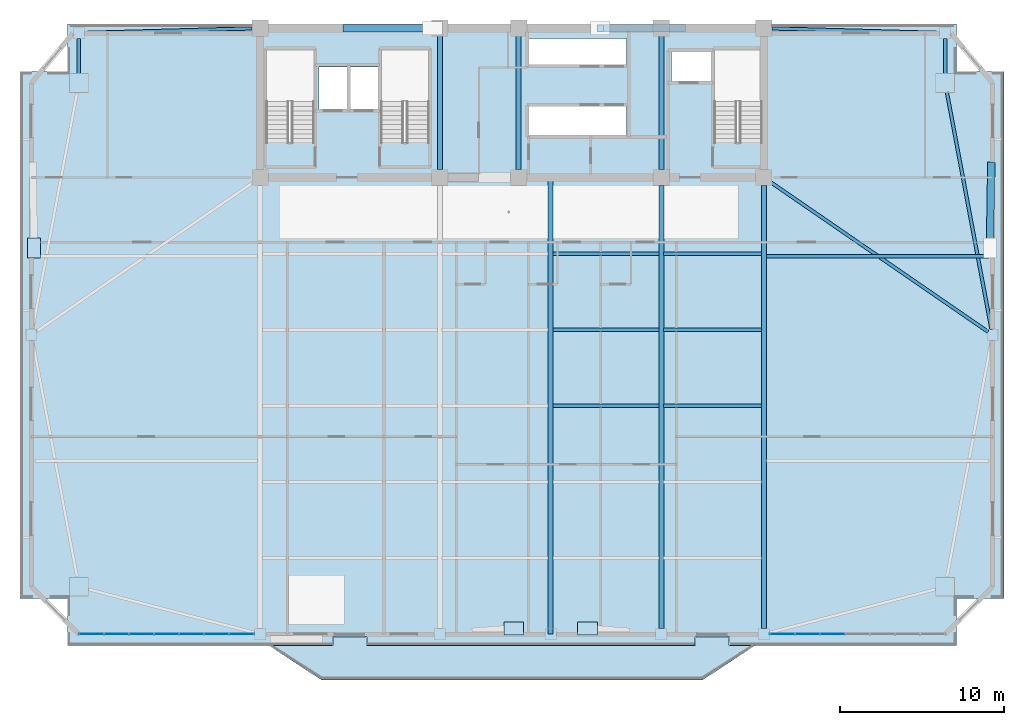
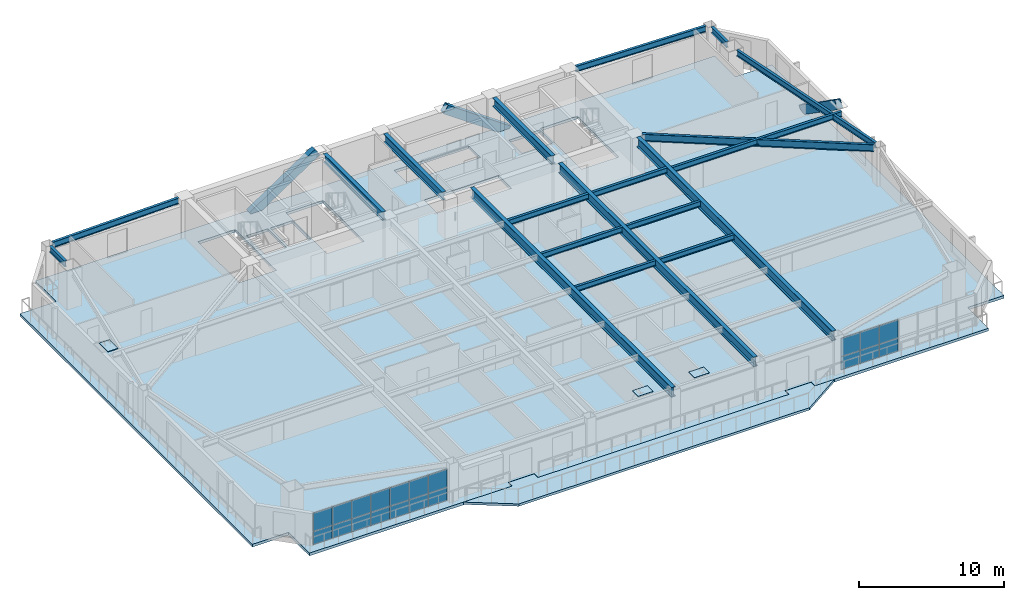
# One storey, part 6 of 15: 23 plates, 19 beams, 3 members, 2 slabs, 2 elements without a shape of their own.
"""IFC4 building model written with IfcOpenShell, lengths in metres."""

from ifc_helpers import new_model, si_unit, direction, frame, origin, origin_2d, place, context, subcontext, project, spatial, polyline, rectangle, hollow_rectangle, i_section, outline, extrude, source, transform, mapped, material, layer, layer_set, material_profile, profile_set, type_object, element, aggregate, save


model = new_model("IFC4")

# Units and contexts
model_context = context("Model", 3, precision=1e-05, world=origin(), true_north=direction((0.0, 1.0)))
body_context = subcontext(model_context, "Body", "Model", "MODEL_VIEW")
ifc_project = project(units=[si_unit("LENGTHUNIT", "METRE"), si_unit("AREAUNIT", "SQUARE_METRE"), si_unit("VOLUMEUNIT", "CUBIC_METRE"), si_unit("PLANEANGLEUNIT", "RADIAN"), si_unit("MASSUNIT", "GRAM", prefix="KILO")], contexts=[model_context])

# Site, building, storey
site_placement = place(None, origin())
site = spatial("IfcSite", under=ifc_project, at=site_placement, CompositionType="ELEMENT")
building_placement = place(site_placement, origin())
building = spatial("IfcBuilding", under=site, at=building_placement, Name="Giltprow Tower", CompositionType="ELEMENT")
storey_placement = place(building_placement, frame((0.0, 0.0, 173.699951171875)))
storey = spatial("IfcBuildingStorey", under=building, at=storey_placement, Name="L43", CompositionType="ELEMENT", Elevation=173.699951171875)

# Beams
ifc_material_1 = material(Name="Structural steel Q355B", Category="steel")
ifc_material_profile_1 = material_profile(ifc_material_1, i_section(OverallWidth=0.199951171875, OverallDepth=0.449951171875, WebThickness=0.009033203125, FlangeThickness=0.013916015625, at=origin_2d()), Name="HN 450x200x9x14")
ifc_profile_set_1 = profile_set([ifc_material_profile_1], Name="Structural steel Q355B")
beam_type_1 = type_object("IfcBeamType", Name="BM-JOIST-HN450", PredefinedType="JOIST", material=ifc_profile_set_1)
shared_shape_1 = source(origin(), body_context, "Body", "SweptSolid", [
    extrude(i_section(OverallWidth=0.199951171875, OverallDepth=0.449951171875, WebThickness=0.009033203125, FlangeThickness=0.013916015625, at=origin_2d()), origin(), (0.0, 0.0, 1.0), 6.4599609375),
])
for number, where, z_axis, x_axis, name in (
    (1, (37.695068359375, 23.5380859375, 3.045166015625), (1.0, 0.0, 0.0), (0.0, 1.0, 0.0), "L43 Composite Floor Joist 3-3"),
    (2, (37.695068359375, 28.175048828125, 3.045166015625), (1.0, 0.0, 0.0), (0.0, 1.0, 0.0), "L43 Composite Floor Joist 4-3"),
    (3, (37.695068359375, 32.81298828125, 3.045166015625), (1.0, 0.0, 0.0), (0.0, 1.0, 0.0), "L43 Composite Floor Joist 5-3"),
):
    element("IfcBeam", number, at=place(storey_placement, frame(where, z_axis=z_axis, x_axis=x_axis)), inside=storey, type_object=beam_type_1, Name=name, PredefinedType="JOIST", context=body_context, shape_type="MappedRepresentation", body=[
        mapped(shared_shape_1, transform((0.0, 0.0, 0.0), x_axis=(1.0, 0.0, 0.0), y_axis=(0.0, 1.0, 0.0), z_axis=(0.0, 0.0, 1.0), scale=1.0)),
    ])
shared_shape_2 = source(origin(), body_context, "Body", "SweptSolid", [
    extrude(i_section(OverallWidth=0.199951171875, OverallDepth=0.449951171875, WebThickness=0.009033203125, FlangeThickness=0.013916015625, at=origin_2d()), origin(), (0.0, 0.0, 1.0), 5.9599609375),
])
for number, where, z_axis, x_axis, name in (
    (4, (44.445068359375, 23.5380859375, 3.045166015625), (1.0, 0.0, 0.0), (0.0, 1.0, 0.0), "L43 Composite Floor Joist 3-4"),
    (5, (44.445068359375, 28.175048828125, 3.045166015625), (1.0, 0.0, 0.0), (0.0, 1.0, 0.0), "L43 Composite Floor Joist 4-4"),
    (6, (44.445068359375, 32.81298828125, 3.045166015625), (1.0, 0.0, 0.0), (0.0, 1.0, 0.0), "L43 Composite Floor Joist 5-4"),
):
    element("IfcBeam", number, at=place(storey_placement, frame(where, z_axis=z_axis, x_axis=x_axis)), inside=storey, type_object=beam_type_1, Name=name, PredefinedType="JOIST", context=body_context, shape_type="MappedRepresentation", body=[
        mapped(shared_shape_2, transform((0.0, 0.0, 0.0), x_axis=(1.0, 0.0, 0.0), y_axis=(0.0, 1.0, 0.0), z_axis=(0.0, 0.0, 1.0), scale=1.0)),
    ])
ifc_material_profile_2 = material_profile(ifc_material_1, i_section(OverallWidth=0.300048828125, OverallDepth=0.699951171875, WebThickness=0.012939453125, FlangeThickness=0.02392578125, at=origin_2d()), Name="HN 700x300x13x24")
ifc_profile_set_2 = profile_set([ifc_material_profile_2], Name="Structural steel Q355B")
beam_type_2 = type_object("IfcBeamType", Name="BM-GIRD-HN700", PredefinedType="BEAM", material=ifc_profile_set_2)
shared_shape_3 = source(origin(), body_context, "Body", "SweptSolid", [
    extrude(i_section(OverallWidth=0.300048828125, OverallDepth=0.699951171875, WebThickness=0.012939453125, FlangeThickness=0.02392578125, at=origin_2d()), origin(), (0.0, 0.0, 1.0), 8.1298828125),
])
for number, where, z_axis, x_axis, name in (
    (7, (30.800048828125, 37.93505859375, 2.920166015625), (0.0, 1.0, 0.0), (-1.0, 0.0, 0.0), "L43 Core Tie Girder M1"),
    (8, (35.60009765625, 37.93505859375, 2.920166015625), (0.0, 1.0, 0.0), (-1.0, 0.0, 0.0), "L43 Core Tie Girder M2"),
    (9, (44.300048828125, 37.93505859375, 2.920166015625), (0.0, 1.0, 0.0), (-1.0, 0.0, 0.0), "L43 Core Tie Girder M3"),
):
    element("IfcBeam", number, at=place(storey_placement, frame(where, z_axis=z_axis, x_axis=x_axis)), inside=storey, type_object=beam_type_2, Name=name, PredefinedType="BEAM", context=body_context, shape_type="MappedRepresentation", body=[
        mapped(shared_shape_3, transform((0.0, 0.0, 0.0), x_axis=(1.0, 0.0, 0.0), y_axis=(0.0, 1.0, 0.0), z_axis=(0.0, 0.0, 1.0), scale=1.0)),
    ])
ifc_material_profile_3 = material_profile(ifc_material_1, i_section(OverallWidth=0.300048828125, OverallDepth=0.800048828125, WebThickness=0.013916015625, FlangeThickness=0.02587890625, at=origin_2d()), Name="HN 800x300x14x26")
ifc_profile_set_3 = profile_set([ifc_material_profile_3], Name="Structural steel Q355B")
beam_type_3 = type_object("IfcBeamType", Name="BM-GIRD-HN800", PredefinedType="BEAM", material=ifc_profile_set_3)
shared_shape_4 = source(origin(), body_context, "Body", "SweptSolid", [
    extrude(i_section(OverallWidth=0.300048828125, OverallDepth=0.800048828125, WebThickness=0.013916015625, FlangeThickness=0.02587890625, at=origin_2d()), origin(), (0.0, 0.0, 1.0), 27.823974609375),
])
beam_1_placement = place(storey_placement, frame((37.550048828125, 9.6259765625, 2.8701171875), z_axis=(0.0, 1.0, 0.0), x_axis=(-1.0, 0.0, 0.0)))
element("IfcBeam", 10, at=beam_1_placement, inside=storey, type_object=beam_type_3, Name="L43 Central Lease Girder SMID", PredefinedType="BEAM", context=body_context, shape_type="MappedRepresentation", body=[
    mapped(shared_shape_4, transform((0.0, 0.0, 0.0), x_axis=(1.0, 0.0, 0.0), y_axis=(0.0, 1.0, 0.0), z_axis=(0.0, 0.0, 1.0), scale=1.0)),
])
shared_shape_5 = source(origin(), body_context, "Body", "SweptSolid", [
    extrude(i_section(OverallWidth=0.199951171875, OverallDepth=0.449951171875, WebThickness=0.009033203125, FlangeThickness=0.013916015625, at=origin_2d()), origin(), (0.0, 0.0, 1.0), 13.56591796875),
])
beam_2_placement = place(storey_placement, frame((50.695068359375, 32.656982421875, 3.045166015625), z_axis=(1.0, 0.0, 0.0), x_axis=(0.0, 1.0, 0.0)))
element("IfcBeam", 11, at=beam_2_placement, inside=storey, type_object=beam_type_1, Name="L43 East Wing Floor Joist 2", PredefinedType="JOIST", context=body_context, shape_type="MappedRepresentation", body=[
    mapped(shared_shape_5, transform((0.0, 0.0, 0.0), x_axis=(1.0, 0.0, 0.0), y_axis=(0.0, 1.0, 0.0), z_axis=(0.0, 0.0, 1.0), scale=1.0)),
])
ifc_material_profile_4 = material_profile(ifc_material_1, i_section(OverallWidth=0.199951171875, OverallDepth=0.5, WebThickness=0.010009765625, FlangeThickness=0.01611328125, at=origin_2d()), Name="HN 500x200x10x16")
ifc_profile_set_4 = profile_set([ifc_material_profile_4], Name="Structural steel Q355B")
beam_type_4 = type_object("IfcBeamType", Name="BM-SPAN-HN500", PredefinedType="SPANDREL", material=ifc_profile_set_4)
shared_shape_6 = source(origin(), body_context, "Body", "SweptSolid", [
    extrude(i_section(OverallWidth=0.199951171875, OverallDepth=0.5, WebThickness=0.010009765625, FlangeThickness=0.01611328125, at=origin_2d()), origin(), (0.0, 0.0, 1.0), 14.69921875),
])
beam_3_placement = place(storey_placement, frame((64.4189453125, 28.19189453125, 3.02001953125), z_axis=(-0.184841051364, 0.982768429352, 0.0), x_axis=(-0.982768429352, -0.184841051364, 0.0)))
element("IfcBeam", 12, at=beam_3_placement, inside=storey, type_object=beam_type_4, Name="L43 Perimeter Spandrel Beam E_MID-MC_NE", PredefinedType="SPANDREL", context=body_context, shape_type="MappedRepresentation", body=[
    mapped(shared_shape_6, transform((0.0, 0.0, 0.0), x_axis=(1.0, 0.0, 0.0), y_axis=(0.0, 1.0, 0.0), z_axis=(0.0, 0.0, 1.0), scale=1.0)),
])
shared_shape_7 = source(origin(), body_context, "Body", "SweptSolid", [
    extrude(i_section(OverallWidth=0.199951171875, OverallDepth=0.5, WebThickness=0.010009765625, FlangeThickness=0.01611328125, at=origin_2d()), origin(), (0.0, 0.0, 1.0), 2.116943359375),
])
for number, where, z_axis, x_axis, name in (
    (13, (61.593994140625, 43.798095703125, 3.02001953125), (0.0, 1.0, 0.0), (-1.0, 0.0, 0.0), "L43 Perimeter Spandrel Beam MC_NE-N_E"),
    (14, (8.805908203125, 45.9150390625, 3.02001953125), (0.0, -1.0, 0.0), (1.0, 0.0, 0.0), "L43 Perimeter Spandrel Beam N_W-MC_NW"),
):
    element("IfcBeam", number, at=place(storey_placement, frame(where, z_axis=z_axis, x_axis=x_axis)), inside=storey, type_object=beam_type_4, Name=name, PredefinedType="SPANDREL", context=body_context, shape_type="MappedRepresentation", body=[
        mapped(shared_shape_7, transform((0.0, 0.0, 0.0), x_axis=(1.0, 0.0, 0.0), y_axis=(0.0, 1.0, 0.0), z_axis=(0.0, 0.0, 1.0), scale=1.0)),
    ])
shared_shape_8 = source(origin(), body_context, "Body", "SweptSolid", [
    extrude(i_section(OverallWidth=0.199951171875, OverallDepth=0.5, WebThickness=0.010009765625, FlangeThickness=0.01611328125, at=origin_2d()), origin(), (0.0, 0.0, 1.0), 10.2275390625),
])
beam_4_placement = place(storey_placement, frame((9.14111328125, 46.259033203125, 3.02001953125), z_axis=(0.999630320429, 0.027188646153, 0.0), x_axis=(-0.027188646153, 0.999630320429, 0.0)))
element("IfcBeam", 15, at=beam_4_placement, inside=storey, type_object=beam_type_4, Name="L43 North Wing Spandrel W", PredefinedType="SPANDREL", context=body_context, shape_type="MappedRepresentation", body=[
    mapped(shared_shape_8, transform((0.0, 0.0, 0.0), x_axis=(1.0, 0.0, 0.0), y_axis=(0.0, 1.0, 0.0), z_axis=(0.0, 0.0, 1.0), scale=1.0)),
])
shared_shape_9 = source(origin(), body_context, "Body", "SweptSolid", [
    extrude(i_section(OverallWidth=0.199951171875, OverallDepth=0.5, WebThickness=0.010009765625, FlangeThickness=0.01611328125, at=origin_2d()), origin(), (0.0, 0.0, 1.0), 10.227783203125),
])
beam_5_placement = place(storey_placement, frame((51.034912109375, 46.537109375, 3.02001953125), z_axis=(0.999630338074, -0.027187997399, 0.0), x_axis=(0.027187997399, 0.999630338074, 0.0)))
element("IfcBeam", 16, at=beam_5_placement, inside=storey, type_object=beam_type_4, Name="L43 North Wing Spandrel E", PredefinedType="SPANDREL", context=body_context, shape_type="MappedRepresentation", body=[
    mapped(shared_shape_9, transform((0.0, 0.0, 0.0), x_axis=(1.0, 0.0, 0.0), y_axis=(0.0, 1.0, 0.0), z_axis=(0.0, 0.0, 1.0), scale=1.0)),
])
shared_shape_10 = source(origin(), body_context, "Body", "SweptSolid", [
    extrude(i_section(OverallWidth=0.300048828125, OverallDepth=0.800048828125, WebThickness=0.013916015625, FlangeThickness=0.02587890625, at=origin_2d()), origin(), (0.0, 0.0, 1.0), 27.004150390625),
])
for number, where, z_axis, x_axis, name in (
    (17, (44.300048828125, 9.9609375, 2.8701171875), (0.0, 1.0, 0.0), (-1.0, 0.0, 0.0), "L43 Primary Lease Girder S3"),
    (18, (50.550048828125, 9.9609375, 2.8701171875), (0.0, 1.0, 0.0), (-1.0, 0.0, 0.0), "L43 Primary Lease Girder S4"),
):
    element("IfcBeam", number, at=place(storey_placement, frame(where, z_axis=z_axis, x_axis=x_axis)), inside=storey, type_object=beam_type_3, Name=name, PredefinedType="BEAM", context=body_context, shape_type="MappedRepresentation", body=[
        mapped(shared_shape_10, transform((0.0, 0.0, 0.0), x_axis=(1.0, 0.0, 0.0), y_axis=(0.0, 1.0, 0.0), z_axis=(0.0, 0.0, 1.0), scale=1.0)),
    ])
ifc_material_profile_5 = material_profile(ifc_material_1, i_section(OverallWidth=0.199951171875, OverallDepth=0.60009765625, WebThickness=0.010986328125, FlangeThickness=0.01708984375, at=origin_2d()), Name="HN 600x200x11x17")
ifc_profile_set_5 = profile_set([ifc_material_profile_5], Name="Structural steel Q355B")
beam_type_5 = type_object("IfcBeamType", Name="BM-GIRD-HN600", PredefinedType="BEAM", material=ifc_profile_set_5)
shared_shape_11 = source(origin(), body_context, "Body", "SweptSolid", [
    extrude(i_section(OverallWidth=0.199951171875, OverallDepth=0.60009765625, WebThickness=0.010986328125, FlangeThickness=0.01708984375, at=origin_2d()), origin(), (0.0, 0.0, 1.0), 16.090576171875),
])
beam_6_placement = place(storey_placement, frame((64.205078125, 28.052978515625, 2.969970703125), z_axis=(-0.823775766342, 0.566915766924, 0.0), x_axis=(-0.566915766924, -0.823775766342, 0.0)))
element("IfcBeam", 19, at=beam_6_placement, inside=storey, type_object=beam_type_5, Name="L43 East Wing Primary Girder", PredefinedType="BEAM", context=body_context, shape_type="MappedRepresentation", body=[
    mapped(shared_shape_11, transform((0.0, 0.0, 0.0), x_axis=(1.0, 0.0, 0.0), y_axis=(0.0, 1.0, 0.0), z_axis=(0.0, 0.0, 1.0), scale=1.0)),
])

# Members
ifc_material_2 = material(Name="Structural steel Q420GJC", Category="steel")
ifc_material_profile_6 = material_profile(ifc_material_2, hollow_rectangle(XDim=0.449951171875, YDim=0.699951171875, WallThickness=0.031982421875, at=origin_2d()), Name="RHS 700x450x32")
ifc_profile_set_6 = profile_set([ifc_material_profile_6], Name="Structural steel Q420GJC")
member_type = type_object("IfcMemberType", Name="MBR-MEGA-RHS700", PredefinedType="BRACE", material=ifc_profile_set_6)
shared_shape_12 = source(origin(), body_context, "Body", "SweptSolid", [
    extrude(hollow_rectangle(XDim=0.449951171875, YDim=0.699951171875, WallThickness=0.031982421875, at=origin_2d()), origin(), (0.0, 0.0, 1.0), 6.309814453125),
])
member_1_placement = place(storey_placement, frame((25.10009765625, 46.550048828125, -0.139892578125), z_axis=(0.832050294338, 0.0, 0.554700196225), x_axis=(0.0, 1.0, 0.0)))
element("IfcMember", 20, at=member_1_placement, inside=storey, type_object=member_type, Name="L43 Chevron Mega-Brace N-L", PredefinedType="BRACE", context=body_context, shape_type="MappedRepresentation", body=[
    mapped(shared_shape_12, transform((0.0, 0.0, 0.0), x_axis=(1.0, 0.0, 0.0), y_axis=(0.0, 1.0, 0.0), z_axis=(0.0, 0.0, 1.0), scale=1.0)),
])
shared_shape_13 = source(origin(), body_context, "Body", "SweptSolid", [
    extrude(hollow_rectangle(XDim=0.449951171875, YDim=0.699951171875, WallThickness=0.031982421875, at=origin_2d()), origin(), (0.0, 0.0, 1.0), 6.090087890625),
])
member_2_placement = place(storey_placement, frame((45.56689453125, 46.550048828125, -0.139892578125), z_axis=(-0.81836087487, 0.0, 0.574704688064), x_axis=(0.0, -1.0, 0.0)))
element("IfcMember", 21, at=member_2_placement, inside=storey, type_object=member_type, Name="L43 Chevron Mega-Brace N-R", PredefinedType="BRACE", context=body_context, shape_type="MappedRepresentation", body=[
    mapped(shared_shape_13, transform((0.0, 0.0, 0.0), x_axis=(1.0, 0.0, 0.0), y_axis=(0.0, 1.0, 0.0), z_axis=(0.0, 0.0, 1.0), scale=1.0)),
])
shared_shape_14 = source(origin(), body_context, "Body", "SweptSolid", [
    extrude(hollow_rectangle(XDim=0.449951171875, YDim=0.699951171875, WallThickness=0.031982421875, at=origin_2d()), origin(), (0.0, 0.0, 1.0), 6.126708984375),
])
member_3_placement = place(storey_placement, frame((64.403076171875, 38.18408203125, 0.0), z_axis=(-0.012751358905, -0.820669489524, 0.571260878942), x_axis=(0.999879310986, -0.015535876646, 0.0)))
element("IfcMember", 22, at=member_3_placement, inside=storey, type_object=member_type, Name="L43 Chevron Mega-Brace E-R", PredefinedType="BRACE", context=body_context, shape_type="MappedRepresentation", body=[
    mapped(shared_shape_14, transform((0.0, 0.0, 0.0), x_axis=(1.0, 0.0, 0.0), y_axis=(0.0, 1.0, 0.0), z_axis=(0.0, 0.0, 1.0), scale=1.0)),
])

# Slabs
ifc_material_3 = material(Name="Concrete C40", Category="concrete")
ifc_layer_1 = layer(ifc_material_3, 0.199951171875, Name="Concrete C40")
ifc_layer_set_1 = layer_set([ifc_layer_1], Name="Concrete C40")
slab_type_1 = type_object("IfcSlabType", Name="SLB-BALC-BRONZE-200", PredefinedType="FLOOR", material=ifc_layer_set_1)
slab_1_placement = place(storey_placement, frame((0.0, 0.0, -0.199951171875)))
element("IfcSlab", 23, at=slab_1_placement, inside=storey, type_object=slab_type_1, Name="L43 Bronze Prow Waterfront Balcony Slab", PredefinedType="FLOOR", context=body_context, shape_type="SweptSolid", body=[
    extrude(outline(polyline([(50.0, 8.926025390625), (46.800048828125, 6.825927734375), (23.60009765625, 6.825927734375), (20.39990234375, 8.926025390625), (24.280029296875, 8.926025390625), (24.280029296875, 9.426025390625), (26.320068359375, 9.426025390625), (26.320068359375, 8.926025390625), (46.3798828125, 8.926025390625), (46.3798828125, 9.426025390625), (48.419921875, 9.426025390625), (48.419921875, 8.926025390625), (50.0, 8.926025390625)])), origin(), (0.0, 0.0, 1.0), 0.199951171875),
])
ifc_layer_2 = layer(ifc_material_3, 0.22998046875, Name="Concrete C40")
ifc_layer_set_2 = layer_set([ifc_layer_2], Name="Concrete C40")
slab_type_2 = type_object("IfcSlabType", Name="SLB-HTL-230", PredefinedType="FLOOR", material=ifc_layer_set_2)
slab_2_placement = place(storey_placement, frame((0.0, 0.0, -0.22998046875)))
element("IfcSlab", 24, at=slab_2_placement, inside=storey, type_object=slab_type_2, Name="L43 Structural Composite Floor Slab", PredefinedType="FLOOR", context=body_context, shape_type="SweptSolid", body=[
    extrude(outline(polyline([(8.10595703125, 8.926025390625), (8.10595703125, 11.81298828125), (5.218994140625, 11.81298828125), (5.218994140625, 43.9130859375), (8.10595703125, 43.9130859375), (8.10595703125, 46.800048828125), (62.2939453125, 46.800048828125), (62.2939453125, 43.9130859375), (65.180908203125, 43.9130859375), (65.180908203125, 11.81298828125), (62.2939453125, 11.81298828125), (62.2939453125, 8.926025390625), (48.449951171875, 8.926025390625), (48.449951171875, 9.446044921875), (46.35009765625, 9.446044921875), (46.35009765625, 8.926025390625), (26.35009765625, 8.926025390625), (26.35009765625, 9.446044921875), (24.25, 9.446044921875), (24.25, 8.926025390625), (8.10595703125, 8.926025390625)]), holes=[polyline([(42.169921875, 41.800048828125), (36.239990234375, 41.800048828125), (36.239990234375, 40.0), (42.169921875, 40.0), (42.169921875, 41.800048828125)]), polyline([(23.159912109375, 39.570068359375), (23.159912109375, 45.25), (20.199951171875, 45.25), (20.199951171875, 39.570068359375), (23.159912109375, 39.570068359375)]), polyline([(30.159912109375, 39.570068359375), (30.159912109375, 45.25), (27.199951171875, 45.25), (27.199951171875, 39.570068359375), (30.159912109375, 39.570068359375)]), polyline([(50.4599609375, 45.25), (47.5, 45.25), (47.5, 39.570068359375), (50.4599609375, 39.570068359375), (50.4599609375, 45.25)]), polyline([(25.169921875, 44.199951171875), (23.449951171875, 44.199951171875), (23.449951171875, 41.60009765625), (25.169921875, 41.60009765625), (25.169921875, 44.199951171875)]), polyline([(27.10009765625, 44.199951171875), (25.35009765625, 44.199951171875), (25.35009765625, 41.60009765625), (27.10009765625, 41.60009765625), (27.10009765625, 44.199951171875)]), polyline([(47.3798828125, 43.300048828125), (47.3798828125, 45.10009765625), (44.919921875, 45.10009765625), (44.919921875, 43.300048828125), (47.3798828125, 43.300048828125)]), polyline([(42.169921875, 44.300048828125), (42.169921875, 45.919921875), (36.239990234375, 45.919921875), (36.239990234375, 44.300048828125), (42.169921875, 44.300048828125)])]), origin(), (0.0, 0.0, 1.0), 0.22998046875),
])

# Plates
plate_type_1 = type_object("IfcPlateType", Name="PLT-CAP-SEAL", PredefinedType="USERDEFINED", material=ifc_material_2)
shared_shape_15 = source(origin(), body_context, "Body", "SweptSolid", [
    extrude(rectangle(XDim=1.199951171875, YDim=0.800048828125, at=origin_2d()), origin(), (0.0, 0.0, 1.0), 0.034912109375),
])
for number, where, z_axis, x_axis, name in (
    (25, (35.300048828125, 9.97802734375, 3.482421875), (0.0, 0.0, 1.0), (1.0, 0.0, 0.0), "Mega-Brace Node L43-S-LB"),
    (26, (39.800048828125, 9.97802734375, 3.482421875), (0.0, 0.0, 1.0), (1.0, 0.0, 0.0), "Mega-Brace Node L43-S-RB"),
    (27, (6.075927734375, 33.156005859375, 3.482421875), (0.0, 0.0, 1.0), (0.0, 1.0, 0.0), "Mega-Brace Node L43-W-RB"),
):
    element("IfcPlate", number, at=place(storey_placement, frame(where, z_axis=z_axis, x_axis=x_axis)), inside=storey, type_object=plate_type_1, Name=name, ObjectType="SPLICE", PredefinedType="USERDEFINED", context=body_context, shape_type="MappedRepresentation", body=[
        mapped(shared_shape_15, transform((0.0, 0.0, 0.0), x_axis=(1.0, 0.0, 0.0), y_axis=(0.0, 1.0, 0.0), z_axis=(0.0, 0.0, 1.0), scale=1.0)),
    ])

# Curtain wall, plates
ifc_material_4 = material(Name="Anodized bronze", Category="metal")
ifc_layer_3 = layer(ifc_material_4, 0.179931640625, Name="Anodized bronze")
ifc_layer_set_3 = layer_set([ifc_layer_3], Name="Anodized bronze")
curtain_wall_type = type_object("IfcCurtainWallType", Name="CW-HTL-BRONZE", PredefinedType="NOTDEFINED", material=ifc_layer_set_3)
curtain_wall_1_placement = place(storey_placement, origin())
curtain_wall_1 = element("IfcCurtainWall", 28, at=curtain_wall_1_placement, inside=storey, type_object=curtain_wall_type, Name="L43 South Recessed Curtain Wall 1", PredefinedType="NOTDEFINED")
ifc_material_5 = material(Name="Insulated glass", Category="glass")
plate_type_2 = type_object("IfcPlateType", Name="CW-PANEL-IGU-28", PredefinedType="CURTAIN_PANEL", material=ifc_material_5)
shared_shape_16 = source(origin(), body_context, "Body", "SweptSolid", [
    extrude(rectangle(XDim=1.498046875, YDim=0.028076171875, at=origin_2d()), origin(), (0.0, 0.0, 1.0), 1.0869140625),
])
plate_1_placement = place(storey_placement, frame((9.570068359375, 9.6259765625, 0.0546875), z_axis=(0.0, 0.0, 1.0), x_axis=(1.0, 0.0, 0.0)))
plate_1 = element("IfcPlate", 29, at=plate_1_placement, type_object=plate_type_2, Name="L43 South Recessed Curtain Wall 1 Glazing Panel 1-1", PredefinedType="CURTAIN_PANEL", context=body_context, shape_type="MappedRepresentation", body=[
    mapped(shared_shape_16, transform((0.0, 0.0, 0.0), x_axis=(1.0, 0.0, 0.0), y_axis=(0.0, 1.0, 0.0), z_axis=(0.0, 0.0, 1.0), scale=1.0)),
])
plate_2_placement = place(storey_placement, frame((11.097900390625, 9.6259765625, 0.0546875), z_axis=(0.0, 0.0, 1.0), x_axis=(1.0, 0.0, 0.0)))
plate_2 = element("IfcPlate", 30, at=plate_2_placement, type_object=plate_type_2, Name="L43 South Recessed Curtain Wall 1 Glazing Panel 2-1", PredefinedType="CURTAIN_PANEL", context=body_context, shape_type="MappedRepresentation", body=[
    mapped(shared_shape_16, transform((0.0, 0.0, 0.0), x_axis=(1.0, 0.0, 0.0), y_axis=(0.0, 1.0, 0.0), z_axis=(0.0, 0.0, 1.0), scale=1.0)),
])
plate_3_placement = place(storey_placement, frame((12.625, 9.6259765625, 0.0546875), z_axis=(0.0, 0.0, 1.0), x_axis=(1.0, 0.0, 0.0)))
plate_3 = element("IfcPlate", 31, at=plate_3_placement, type_object=plate_type_2, Name="L43 South Recessed Curtain Wall 1 Glazing Panel 3-1", PredefinedType="CURTAIN_PANEL", context=body_context, shape_type="MappedRepresentation", body=[
    mapped(shared_shape_16, transform((0.0, 0.0, 0.0), x_axis=(1.0, 0.0, 0.0), y_axis=(0.0, 1.0, 0.0), z_axis=(0.0, 0.0, 1.0), scale=1.0)),
])
plate_4_placement = place(storey_placement, frame((14.153076171875, 9.6259765625, 0.0546875), z_axis=(0.0, 0.0, 1.0), x_axis=(1.0, 0.0, 0.0)))
plate_4 = element("IfcPlate", 32, at=plate_4_placement, type_object=plate_type_2, Name="L43 South Recessed Curtain Wall 1 Glazing Panel 4-1", PredefinedType="CURTAIN_PANEL", context=body_context, shape_type="MappedRepresentation", body=[
    mapped(shared_shape_16, transform((0.0, 0.0, 0.0), x_axis=(1.0, 0.0, 0.0), y_axis=(0.0, 1.0, 0.0), z_axis=(0.0, 0.0, 1.0), scale=1.0)),
])
plate_5_placement = place(storey_placement, frame((15.680908203125, 9.6259765625, 0.0546875), z_axis=(0.0, 0.0, 1.0), x_axis=(1.0, 0.0, 0.0)))
plate_5 = element("IfcPlate", 33, at=plate_5_placement, type_object=plate_type_2, Name="L43 South Recessed Curtain Wall 1 Glazing Panel 5-1", PredefinedType="CURTAIN_PANEL", context=body_context, shape_type="MappedRepresentation", body=[
    mapped(shared_shape_16, transform((0.0, 0.0, 0.0), x_axis=(1.0, 0.0, 0.0), y_axis=(0.0, 1.0, 0.0), z_axis=(0.0, 0.0, 1.0), scale=1.0)),
])
plate_6_placement = place(storey_placement, frame((17.2080078125, 9.6259765625, 0.0546875), z_axis=(0.0, 0.0, 1.0), x_axis=(1.0, 0.0, 0.0)))
plate_6 = element("IfcPlate", 34, at=plate_6_placement, type_object=plate_type_2, Name="L43 South Recessed Curtain Wall 1 Glazing Panel 6-1", PredefinedType="CURTAIN_PANEL", context=body_context, shape_type="MappedRepresentation", body=[
    mapped(shared_shape_16, transform((0.0, 0.0, 0.0), x_axis=(1.0, 0.0, 0.0), y_axis=(0.0, 1.0, 0.0), z_axis=(0.0, 0.0, 1.0), scale=1.0)),
])
plate_7_placement = place(storey_placement, frame((18.736083984375, 9.6259765625, 0.0546875), z_axis=(0.0, 0.0, 1.0), x_axis=(1.0, 0.0, 0.0)))
plate_7 = element("IfcPlate", 35, at=plate_7_placement, type_object=plate_type_2, Name="L43 South Recessed Curtain Wall 1 Glazing Panel 7-1", PredefinedType="CURTAIN_PANEL", context=body_context, shape_type="MappedRepresentation", body=[
    mapped(shared_shape_16, transform((0.0, 0.0, 0.0), x_axis=(1.0, 0.0, 0.0), y_axis=(0.0, 1.0, 0.0), z_axis=(0.0, 0.0, 1.0), scale=1.0)),
])

curtain_wall_2_placement = place(storey_placement, origin())
curtain_wall_2 = element("IfcCurtainWall", 36, at=curtain_wall_2_placement, inside=storey, type_object=curtain_wall_type, Name="L43 South Recessed Curtain Wall 6", PredefinedType="NOTDEFINED")
plate_8_placement = place(storey_placement, frame((51.6640625, 9.6259765625, 0.0546875), z_axis=(0.0, 0.0, 1.0), x_axis=(1.0, 0.0, 0.0)))
plate_8 = element("IfcPlate", 37, at=plate_8_placement, type_object=plate_type_2, Name="L43 South Recessed Curtain Wall 6 Glazing Panel 1-1", PredefinedType="CURTAIN_PANEL", context=body_context, shape_type="MappedRepresentation", body=[
    mapped(shared_shape_16, transform((0.0, 0.0, 0.0), x_axis=(1.0, 0.0, 0.0), y_axis=(0.0, 1.0, 0.0), z_axis=(0.0, 0.0, 1.0), scale=1.0)),
])
plate_9_placement = place(storey_placement, frame((53.19189453125, 9.6259765625, 0.0546875), z_axis=(0.0, 0.0, 1.0), x_axis=(1.0, 0.0, 0.0)))
plate_9 = element("IfcPlate", 38, at=plate_9_placement, type_object=plate_type_2, Name="L43 South Recessed Curtain Wall 6 Glazing Panel 2-1", PredefinedType="CURTAIN_PANEL", context=body_context, shape_type="MappedRepresentation", body=[
    mapped(shared_shape_16, transform((0.0, 0.0, 0.0), x_axis=(1.0, 0.0, 0.0), y_axis=(0.0, 1.0, 0.0), z_axis=(0.0, 0.0, 1.0), scale=1.0)),
])
plate_10_placement = place(storey_placement, frame((54.718994140625, 9.6259765625, 0.0546875), z_axis=(0.0, 0.0, 1.0), x_axis=(1.0, 0.0, 0.0)))
plate_10 = element("IfcPlate", 39, at=plate_10_placement, type_object=plate_type_2, Name="L43 South Recessed Curtain Wall 6 Glazing Panel 3-1", PredefinedType="CURTAIN_PANEL", context=body_context, shape_type="MappedRepresentation", body=[
    mapped(shared_shape_16, transform((0.0, 0.0, 0.0), x_axis=(1.0, 0.0, 0.0), y_axis=(0.0, 1.0, 0.0), z_axis=(0.0, 0.0, 1.0), scale=1.0)),
])

# Plate
shared_shape_17 = source(origin(), body_context, "Body", "SweptSolid", [
    extrude(rectangle(XDim=1.498046875, YDim=0.028076171875, at=origin_2d()), origin(), (0.0, 0.0, 1.0), 1.527099609375),
])
plate_11_placement = place(storey_placement, frame((9.570068359375, 9.6259765625, 1.16845703125), z_axis=(0.0, 0.0, 1.0), x_axis=(1.0, 0.0, 0.0)))
plate_11 = element("IfcPlate", 40, at=plate_11_placement, type_object=plate_type_2, Name="L43 South Recessed Curtain Wall 1 Glazing Panel 1-2", PredefinedType="CURTAIN_PANEL", context=body_context, shape_type="MappedRepresentation", body=[
    mapped(shared_shape_17, transform((0.0, 0.0, 0.0), x_axis=(1.0, 0.0, 0.0), y_axis=(0.0, 1.0, 0.0), z_axis=(0.0, 0.0, 1.0), scale=1.0)),
])

plate_12_placement = place(storey_placement, frame((11.097900390625, 9.6259765625, 1.16845703125), z_axis=(0.0, 0.0, 1.0), x_axis=(1.0, 0.0, 0.0)))
plate_12 = element("IfcPlate", 41, at=plate_12_placement, type_object=plate_type_2, Name="L43 South Recessed Curtain Wall 1 Glazing Panel 2-2", PredefinedType="CURTAIN_PANEL", context=body_context, shape_type="MappedRepresentation", body=[
    mapped(shared_shape_17, transform((0.0, 0.0, 0.0), x_axis=(1.0, 0.0, 0.0), y_axis=(0.0, 1.0, 0.0), z_axis=(0.0, 0.0, 1.0), scale=1.0)),
])

plate_13_placement = place(storey_placement, frame((12.625, 9.6259765625, 1.16845703125), z_axis=(0.0, 0.0, 1.0), x_axis=(1.0, 0.0, 0.0)))
plate_13 = element("IfcPlate", 42, at=plate_13_placement, type_object=plate_type_2, Name="L43 South Recessed Curtain Wall 1 Glazing Panel 3-2", PredefinedType="CURTAIN_PANEL", context=body_context, shape_type="MappedRepresentation", body=[
    mapped(shared_shape_17, transform((0.0, 0.0, 0.0), x_axis=(1.0, 0.0, 0.0), y_axis=(0.0, 1.0, 0.0), z_axis=(0.0, 0.0, 1.0), scale=1.0)),
])

plate_14_placement = place(storey_placement, frame((14.153076171875, 9.6259765625, 1.16845703125), z_axis=(0.0, 0.0, 1.0), x_axis=(1.0, 0.0, 0.0)))
plate_14 = element("IfcPlate", 43, at=plate_14_placement, type_object=plate_type_2, Name="L43 South Recessed Curtain Wall 1 Glazing Panel 4-2", PredefinedType="CURTAIN_PANEL", context=body_context, shape_type="MappedRepresentation", body=[
    mapped(shared_shape_17, transform((0.0, 0.0, 0.0), x_axis=(1.0, 0.0, 0.0), y_axis=(0.0, 1.0, 0.0), z_axis=(0.0, 0.0, 1.0), scale=1.0)),
])

plate_15_placement = place(storey_placement, frame((15.680908203125, 9.6259765625, 1.16845703125), z_axis=(0.0, 0.0, 1.0), x_axis=(1.0, 0.0, 0.0)))
plate_15 = element("IfcPlate", 44, at=plate_15_placement, type_object=plate_type_2, Name="L43 South Recessed Curtain Wall 1 Glazing Panel 5-2", PredefinedType="CURTAIN_PANEL", context=body_context, shape_type="MappedRepresentation", body=[
    mapped(shared_shape_17, transform((0.0, 0.0, 0.0), x_axis=(1.0, 0.0, 0.0), y_axis=(0.0, 1.0, 0.0), z_axis=(0.0, 0.0, 1.0), scale=1.0)),
])

plate_16_placement = place(storey_placement, frame((17.2080078125, 9.6259765625, 1.16845703125), z_axis=(0.0, 0.0, 1.0), x_axis=(1.0, 0.0, 0.0)))
plate_16 = element("IfcPlate", 45, at=plate_16_placement, type_object=plate_type_2, Name="L43 South Recessed Curtain Wall 1 Glazing Panel 6-2", PredefinedType="CURTAIN_PANEL", context=body_context, shape_type="MappedRepresentation", body=[
    mapped(shared_shape_17, transform((0.0, 0.0, 0.0), x_axis=(1.0, 0.0, 0.0), y_axis=(0.0, 1.0, 0.0), z_axis=(0.0, 0.0, 1.0), scale=1.0)),
])

plate_17_placement = place(storey_placement, frame((18.736083984375, 9.6259765625, 1.16845703125), z_axis=(0.0, 0.0, 1.0), x_axis=(1.0, 0.0, 0.0)))
plate_17 = element("IfcPlate", 46, at=plate_17_placement, type_object=plate_type_2, Name="L43 South Recessed Curtain Wall 1 Glazing Panel 7-2", PredefinedType="CURTAIN_PANEL", context=body_context, shape_type="MappedRepresentation", body=[
    mapped(shared_shape_17, transform((0.0, 0.0, 0.0), x_axis=(1.0, 0.0, 0.0), y_axis=(0.0, 1.0, 0.0), z_axis=(0.0, 0.0, 1.0), scale=1.0)),
])

aggregate(curtain_wall_1, [plate_1, plate_11, plate_2, plate_12, plate_3, plate_13, plate_4, plate_14, plate_5, plate_15, plate_6, plate_16, plate_7, plate_17])

plate_18_placement = place(storey_placement, frame((51.6640625, 9.6259765625, 1.16845703125), z_axis=(0.0, 0.0, 1.0), x_axis=(1.0, 0.0, 0.0)))
plate_18 = element("IfcPlate", 47, at=plate_18_placement, type_object=plate_type_2, Name="L43 South Recessed Curtain Wall 6 Glazing Panel 1-2", PredefinedType="CURTAIN_PANEL", context=body_context, shape_type="MappedRepresentation", body=[
    mapped(shared_shape_17, transform((0.0, 0.0, 0.0), x_axis=(1.0, 0.0, 0.0), y_axis=(0.0, 1.0, 0.0), z_axis=(0.0, 0.0, 1.0), scale=1.0)),
])

plate_19_placement = place(storey_placement, frame((53.19189453125, 9.6259765625, 1.16845703125), z_axis=(0.0, 0.0, 1.0), x_axis=(1.0, 0.0, 0.0)))
plate_19 = element("IfcPlate", 48, at=plate_19_placement, type_object=plate_type_2, Name="L43 South Recessed Curtain Wall 6 Glazing Panel 2-2", PredefinedType="CURTAIN_PANEL", context=body_context, shape_type="MappedRepresentation", body=[
    mapped(shared_shape_17, transform((0.0, 0.0, 0.0), x_axis=(1.0, 0.0, 0.0), y_axis=(0.0, 1.0, 0.0), z_axis=(0.0, 0.0, 1.0), scale=1.0)),
])

plate_20_placement = place(storey_placement, frame((54.718994140625, 9.6259765625, 1.16845703125), z_axis=(0.0, 0.0, 1.0), x_axis=(1.0, 0.0, 0.0)))
plate_20 = element("IfcPlate", 49, at=plate_20_placement, type_object=plate_type_2, Name="L43 South Recessed Curtain Wall 6 Glazing Panel 3-2", PredefinedType="CURTAIN_PANEL", context=body_context, shape_type="MappedRepresentation", body=[
    mapped(shared_shape_17, transform((0.0, 0.0, 0.0), x_axis=(1.0, 0.0, 0.0), y_axis=(0.0, 1.0, 0.0), z_axis=(0.0, 0.0, 1.0), scale=1.0)),
])

aggregate(curtain_wall_2, [plate_8, plate_18, plate_9, plate_19, plate_10, plate_20])

save(model, "model.ifc")
